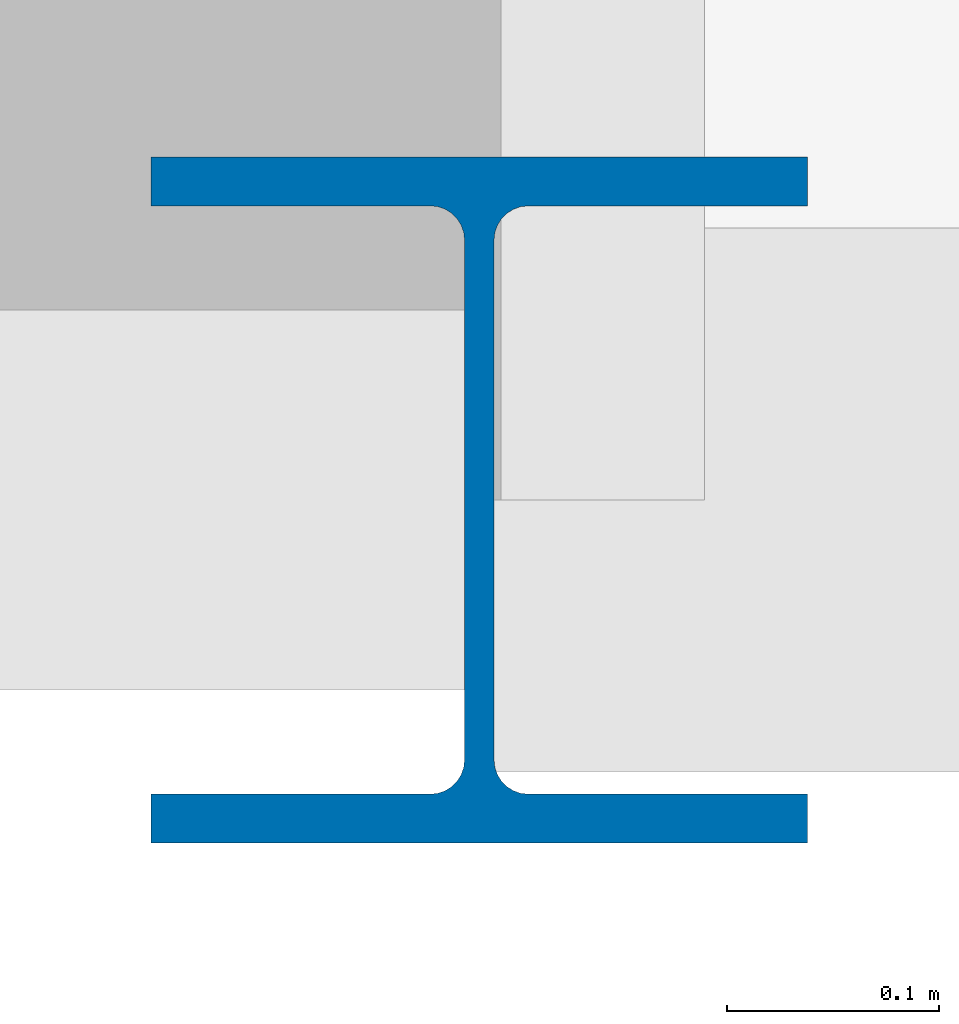
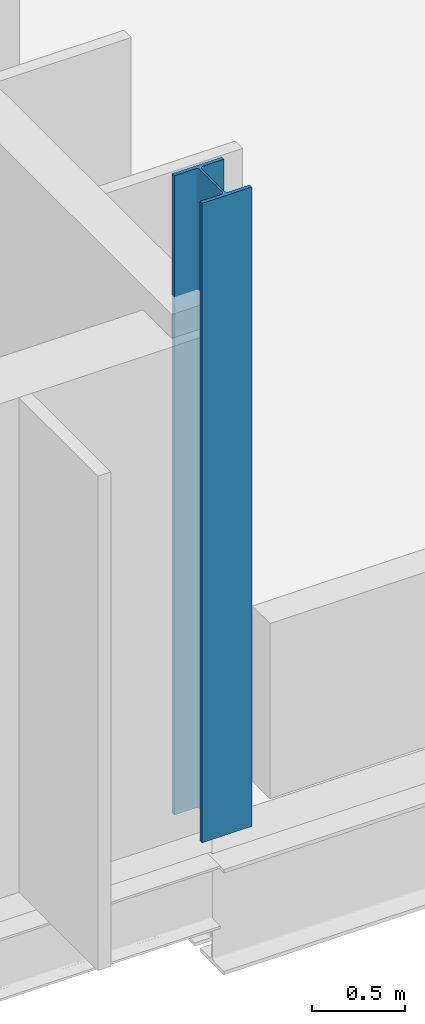
# One storey, part 2 of 61: 1 column.
"""IFC4 building model written with IfcOpenShell, lengths in metres."""

from ifc_helpers import new_model, si_unit, direction, frame, origin, origin_2d, place, context, subcontext, project, spatial, i_section, extrude, material, material_profile, profile_set, type_object, element, save


model = new_model("IFC4")

# Units and contexts
model_context = context("Model", 3, precision=1e-05, world=origin(), true_north=direction((0.0, 1.0)))
body_context = subcontext(model_context, "Body", "Model", "MODEL_VIEW")
ifc_project = project(units=[si_unit("LENGTHUNIT", "METRE"), si_unit("AREAUNIT", "SQUARE_METRE"), si_unit("VOLUMEUNIT", "CUBIC_METRE"), si_unit("PLANEANGLEUNIT", "RADIAN"), si_unit("MASSUNIT", "GRAM", prefix="KILO")], contexts=[model_context])

# Site, building, storey
site_placement = place(None, origin())
site = spatial("IfcSite", under=ifc_project, at=site_placement, CompositionType="ELEMENT")
building_placement = place(site_placement, origin())
building = spatial("IfcBuilding", under=site, at=building_placement, Name="Qelthora Terrace Specialist Clinic", CompositionType="ELEMENT")
storey_placement = place(building_placement, frame((0.0, 0.0, 13.199951171875)))
storey = spatial("IfcBuildingStorey", under=building, at=storey_placement, Name="L03", CompositionType="ELEMENT", Elevation=13.199951171875)

# Column
ifc_material = material(Name="Steel S355", Category="steel")
ifc_material_profile = material_profile(ifc_material, i_section(OverallWidth=0.30908203125, OverallDepth=0.322998046875, WebThickness=0.013916015625, FlangeThickness=0.02294921875, FilletRadius=0.01611328125, at=origin_2d()), Name="W310X143")
ifc_profile_set = profile_set([ifc_material_profile], Name="Steel S355")
column_type = type_object("IfcColumnType", Name="COL-W310X143", PredefinedType="COLUMN", material=ifc_profile_set)
column_placement = place(storey_placement, frame((43.199951171875, 58.800048828125, 0.0), z_axis=(0.0, 0.0, 1.0), x_axis=(1.0, 0.0, 0.0)))
element("IfcColumn", 1, at=column_placement, inside=storey, type_object=column_type, Name="Column L03-086", PredefinedType="COLUMN", context=body_context, shape_type="SweptSolid", body=[
    extrude(i_section(OverallWidth=0.30908203125, OverallDepth=0.322998046875, WebThickness=0.013916015625, FlangeThickness=0.02294921875, FilletRadius=0.01611328125, at=origin_2d()), origin(), (0.0, 0.0, 1.0), 4.199951171875),
])

save(model, "model.ifc")
